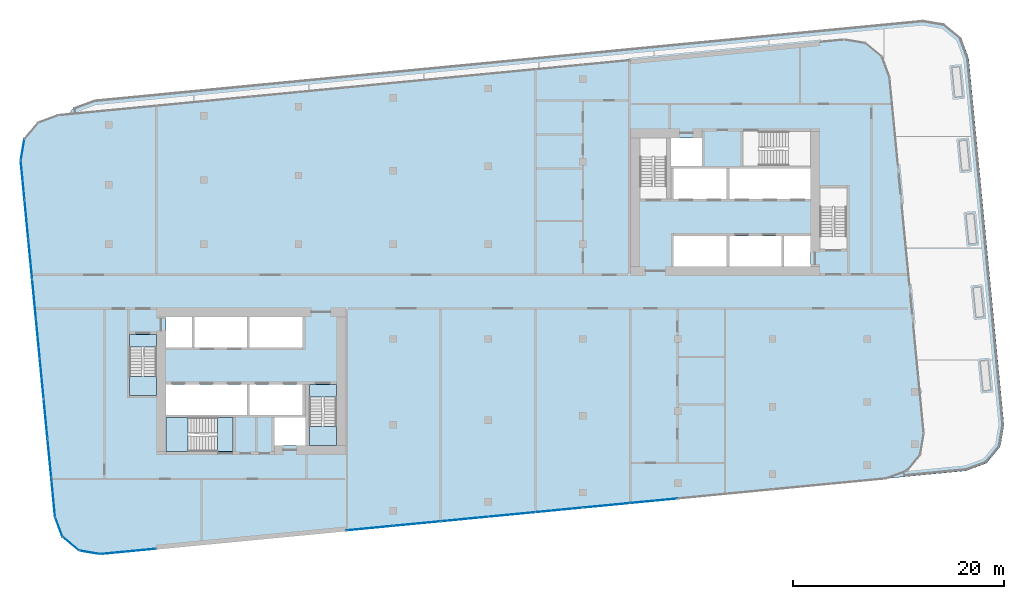
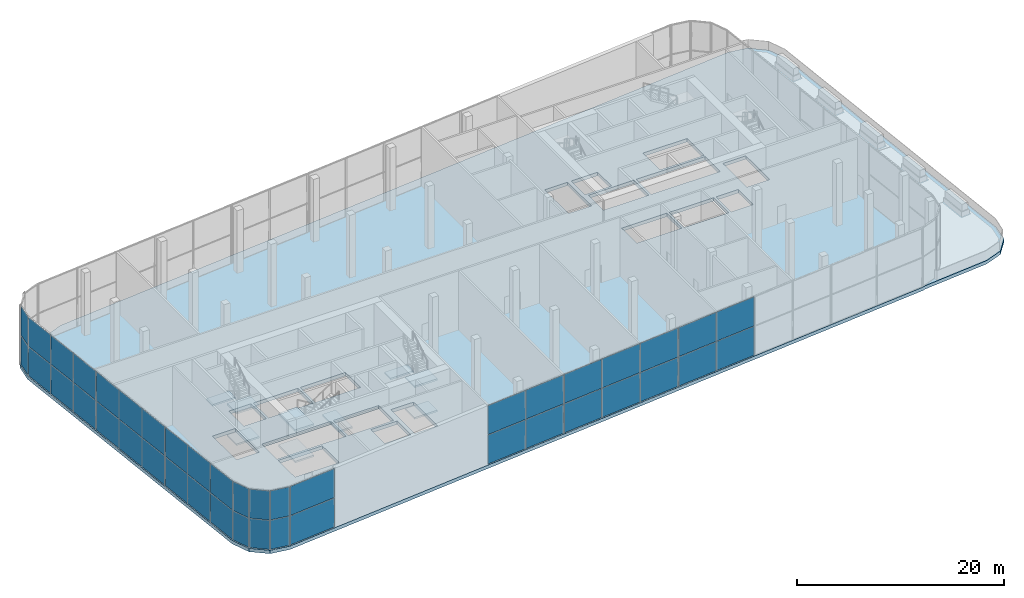
# One storey, part 9 of 25: 42 plates, 10 slabs, 14 elements without a shape of their own.
"""IFC4 building model written with IfcOpenShell, lengths in metres."""

from ifc_helpers import new_model, si_unit, direction, frame, origin, origin_2d, place, context, subcontext, project, spatial, polyline, rectangle, outline, extrude, material, layer, layer_set, type_object, element, aggregate, save


model = new_model("IFC4")

# Units and contexts
model_context = context("Model", 3, precision=1e-05, world=origin(), true_north=direction((0.0, 1.0)))
body_context = subcontext(model_context, "Body", "Model", "MODEL_VIEW")
ifc_project = project(units=[si_unit("LENGTHUNIT", "METRE"), si_unit("AREAUNIT", "SQUARE_METRE"), si_unit("VOLUMEUNIT", "CUBIC_METRE"), si_unit("PLANEANGLEUNIT", "RADIAN"), si_unit("MASSUNIT", "GRAM", prefix="KILO")], contexts=[model_context])

# Site, building, storey
site_placement = place(None, origin())
site = spatial("IfcSite", under=ifc_project, at=site_placement, CompositionType="ELEMENT")
building_placement = place(site_placement, origin())
building = spatial("IfcBuilding", under=site, at=building_placement, Name="Kajstack Hotel Tower", CompositionType="ELEMENT")
storey_placement = place(building_placement, frame((0.0, 0.0, 155.0)))
storey = spatial("IfcBuildingStorey", under=building, at=storey_placement, Name="L36", CompositionType="ELEMENT", Elevation=155.0)

# Curtain wall, plates
ifc_material_1 = material(Name="Aluminium-framed curtain wall, insulated glass with fritted edge", Category="aluminium")
curtain_wall_type = type_object("IfcCurtainWallType", Name="CW-SPA", PredefinedType="NOTDEFINED", material=ifc_material_1)
curtain_wall_1_placement = place(storey_placement, origin())
curtain_wall_1 = element("IfcCurtainWall", 1, at=curtain_wall_1_placement, inside=storey, type_object=curtain_wall_type, Name="Curtain wall CU7 L36-00-00-0", PredefinedType="NOTDEFINED")
ifc_material_2 = material(Name="Insulated glass with fritted edge", Category="glass")
ifc_layer_1 = layer(ifc_material_2, 0.035888671875)
ifc_layer_set_1 = layer_set([ifc_layer_1], Name="CW-P-SPA")
plate_type = type_object("IfcPlateType", Name="CW-P-SPA", PredefinedType="CURTAIN_PANEL", material=ifc_layer_set_1)
plate_1_placement = place(storey_placement, frame((-44.181640625, 10.562255859375, 0.06005859375), z_axis=(0.0, 0.0, 1.0), x_axis=(0.095844342793, -0.995396334107, 0.0)))
plate_1 = element("IfcPlate", 2, at=plate_1_placement, type_object=plate_type, Name="CU7 panel 1.1", PredefinedType="CURTAIN_PANEL", context=body_context, shape_type="SweptSolid", body=[
    extrude(rectangle(XDim=3.67529296875, YDim=0.035888671875, at=origin_2d()), origin(), (0.0, 0.0, 1.0), 3.409912109375),
])
plate_2_placement = place(storey_placement, frame((-44.181640625, 10.562255859375, 3.5302734375), z_axis=(0.0, 0.0, 1.0), x_axis=(0.095844342793, -0.995396334107, 0.0)))
plate_2 = element("IfcPlate", 3, at=plate_2_placement, type_object=plate_type, Name="CU7 panel 1.2", PredefinedType="CURTAIN_PANEL", context=body_context, shape_type="SweptSolid", body=[
    extrude(rectangle(XDim=3.67529296875, YDim=0.035888671875, at=origin_2d()), origin(), (0.0, 0.0, 1.0), 3.409912109375),
])
plate_3_placement = place(storey_placement, frame((-43.822265625, 6.829345703125, 0.06005859375), z_axis=(0.0, 0.0, 1.0), x_axis=(0.095844342793, -0.995396334107, 0.0)))
plate_3 = element("IfcPlate", 4, at=plate_3_placement, type_object=plate_type, Name="CU7 panel 2.1", PredefinedType="CURTAIN_PANEL", context=body_context, shape_type="SweptSolid", body=[
    extrude(rectangle(XDim=3.705322265625, YDim=0.035888671875, at=origin_2d()), origin(), (0.0, 0.0, 1.0), 3.409912109375),
])
plate_4_placement = place(storey_placement, frame((-43.822265625, 6.829345703125, 3.5302734375), z_axis=(0.0, 0.0, 1.0), x_axis=(0.095844342793, -0.995396334107, 0.0)))
plate_4 = element("IfcPlate", 5, at=plate_4_placement, type_object=plate_type, Name="CU7 panel 2.2", PredefinedType="CURTAIN_PANEL", context=body_context, shape_type="SweptSolid", body=[
    extrude(rectangle(XDim=3.705322265625, YDim=0.035888671875, at=origin_2d()), origin(), (0.0, 0.0, 1.0), 3.409912109375),
])
plate_5_placement = place(storey_placement, frame((-43.462890625, 3.09619140625, 0.06005859375), z_axis=(0.0, 0.0, 1.0), x_axis=(0.095844342793, -0.995396334107, 0.0)))
plate_5 = element("IfcPlate", 6, at=plate_5_placement, type_object=plate_type, Name="CU7 panel 3.1", PredefinedType="CURTAIN_PANEL", context=body_context, shape_type="SweptSolid", body=[
    extrude(rectangle(XDim=3.67529296875, YDim=0.035888671875, at=origin_2d()), origin(), (0.0, 0.0, 1.0), 3.409912109375),
])
plate_6_placement = place(storey_placement, frame((-43.462890625, 3.09619140625, 3.5302734375), z_axis=(0.0, 0.0, 1.0), x_axis=(0.095844342793, -0.995396334107, 0.0)))
plate_6 = element("IfcPlate", 7, at=plate_6_placement, type_object=plate_type, Name="CU7 panel 3.2", PredefinedType="CURTAIN_PANEL", context=body_context, shape_type="SweptSolid", body=[
    extrude(rectangle(XDim=3.67529296875, YDim=0.035888671875, at=origin_2d()), origin(), (0.0, 0.0, 1.0), 3.409912109375),
])
aggregate(curtain_wall_1, [plate_1, plate_2, plate_3, plate_4, plate_5, plate_6])

curtain_wall_2_placement = place(storey_placement, origin())
curtain_wall_2 = element("IfcCurtainWall", 8, at=curtain_wall_2_placement, inside=storey, type_object=curtain_wall_type, Name="Curtain wall CU7 L36-00-00-1", PredefinedType="NOTDEFINED")
plate_7_placement = place(storey_placement, frame((-43.0966796875, -0.707763671875, 0.06005859375), z_axis=(0.0, 0.0, 1.0), x_axis=(0.095844315639, -0.995396336722, 0.0)))
plate_7 = element("IfcPlate", 9, at=plate_7_placement, type_object=plate_type, Name="CU7 panel 1.1", PredefinedType="CURTAIN_PANEL", context=body_context, shape_type="SweptSolid", body=[
    extrude(rectangle(XDim=3.7275390625, YDim=0.035888671875, at=origin_2d()), origin(), (0.0, 0.0, 1.0), 3.409912109375),
])
plate_8_placement = place(storey_placement, frame((-43.0966796875, -0.707763671875, 3.5302734375), z_axis=(0.0, 0.0, 1.0), x_axis=(0.095844315639, -0.995396336722, 0.0)))
plate_8 = element("IfcPlate", 10, at=plate_8_placement, type_object=plate_type, Name="CU7 panel 1.2", PredefinedType="CURTAIN_PANEL", context=body_context, shape_type="SweptSolid", body=[
    extrude(rectangle(XDim=3.7275390625, YDim=0.035888671875, at=origin_2d()), origin(), (0.0, 0.0, 1.0), 3.409912109375),
])
plate_9_placement = place(storey_placement, frame((-42.732177734375, -4.492919921875, 0.06005859375), z_axis=(0.0, 0.0, 1.0), x_axis=(0.095844315639, -0.995396336722, 0.0)))
plate_9 = element("IfcPlate", 11, at=plate_9_placement, type_object=plate_type, Name="CU7 panel 2.1", PredefinedType="CURTAIN_PANEL", context=body_context, shape_type="SweptSolid", body=[
    extrude(rectangle(XDim=3.757568359375, YDim=0.035888671875, at=origin_2d()), origin(), (0.0, 0.0, 1.0), 3.409912109375),
])
plate_10_placement = place(storey_placement, frame((-42.732177734375, -4.492919921875, 3.5302734375), z_axis=(0.0, 0.0, 1.0), x_axis=(0.095844315639, -0.995396336722, 0.0)))
plate_10 = element("IfcPlate", 12, at=plate_10_placement, type_object=plate_type, Name="CU7 panel 2.2", PredefinedType="CURTAIN_PANEL", context=body_context, shape_type="SweptSolid", body=[
    extrude(rectangle(XDim=3.757568359375, YDim=0.035888671875, at=origin_2d()), origin(), (0.0, 0.0, 1.0), 3.409912109375),
])
plate_11_placement = place(storey_placement, frame((-42.36767578125, -8.27783203125, 0.06005859375), z_axis=(0.0, 0.0, 1.0), x_axis=(0.095844315639, -0.995396336722, 0.0)))
plate_11 = element("IfcPlate", 13, at=plate_11_placement, type_object=plate_type, Name="CU7 panel 3.1", PredefinedType="CURTAIN_PANEL", context=body_context, shape_type="SweptSolid", body=[
    extrude(rectangle(XDim=3.7275390625, YDim=0.035888671875, at=origin_2d()), origin(), (0.0, 0.0, 1.0), 3.409912109375),
])
plate_12_placement = place(storey_placement, frame((-42.36767578125, -8.27783203125, 3.5302734375), z_axis=(0.0, 0.0, 1.0), x_axis=(0.095844315639, -0.995396336722, 0.0)))
plate_12 = element("IfcPlate", 14, at=plate_12_placement, type_object=plate_type, Name="CU7 panel 3.2", PredefinedType="CURTAIN_PANEL", context=body_context, shape_type="SweptSolid", body=[
    extrude(rectangle(XDim=3.7275390625, YDim=0.035888671875, at=origin_2d()), origin(), (0.0, 0.0, 1.0), 3.409912109375),
])
aggregate(curtain_wall_2, [plate_7, plate_8, plate_9, plate_10, plate_11, plate_12])

curtain_wall_3_placement = place(storey_placement, origin())
curtain_wall_3 = element("IfcCurtainWall", 15, at=curtain_wall_3_placement, inside=storey, type_object=curtain_wall_type, Name="Curtain wall CU7 L36-00-00-2", PredefinedType="NOTDEFINED")
plate_13_placement = place(storey_placement, frame((-42.002197265625, -12.07421875, 0.06005859375), z_axis=(0.0, 0.0, 1.0), x_axis=(0.095844335322, -0.995396334827, 0.0)))
plate_13 = element("IfcPlate", 16, at=plate_13_placement, type_object=plate_type, Name="CU7 panel 1.1", PredefinedType="CURTAIN_PANEL", context=body_context, shape_type="SweptSolid", body=[
    extrude(rectangle(XDim=3.660400390625, YDim=0.035888671875, at=origin_2d()), origin(), (0.0, 0.0, 1.0), 3.409912109375),
])
plate_14_placement = place(storey_placement, frame((-42.002197265625, -12.07421875, 3.5302734375), z_axis=(0.0, 0.0, 1.0), x_axis=(0.095844335322, -0.995396334827, 0.0)))
plate_14 = element("IfcPlate", 17, at=plate_14_placement, type_object=plate_type, Name="CU7 panel 1.2", PredefinedType="CURTAIN_PANEL", context=body_context, shape_type="SweptSolid", body=[
    extrude(rectangle(XDim=3.660400390625, YDim=0.035888671875, at=origin_2d()), origin(), (0.0, 0.0, 1.0), 3.409912109375),
])
plate_15_placement = place(storey_placement, frame((-41.64404296875, -15.79248046875, 0.06005859375), z_axis=(0.0, 0.0, 1.0), x_axis=(0.095844335322, -0.995396334827, 0.0)))
plate_15 = element("IfcPlate", 18, at=plate_15_placement, type_object=plate_type, Name="CU7 panel 2.1", PredefinedType="CURTAIN_PANEL", context=body_context, shape_type="SweptSolid", body=[
    extrude(rectangle(XDim=3.6904296875, YDim=0.035888671875, at=origin_2d()), origin(), (0.0, 0.0, 1.0), 3.409912109375),
])
plate_16_placement = place(storey_placement, frame((-41.64404296875, -15.79248046875, 3.5302734375), z_axis=(0.0, 0.0, 1.0), x_axis=(0.095844335322, -0.995396334827, 0.0)))
plate_16 = element("IfcPlate", 19, at=plate_16_placement, type_object=plate_type, Name="CU7 panel 2.2", PredefinedType="CURTAIN_PANEL", context=body_context, shape_type="SweptSolid", body=[
    extrude(rectangle(XDim=3.6904296875, YDim=0.035888671875, at=origin_2d()), origin(), (0.0, 0.0, 1.0), 3.409912109375),
])
plate_17_placement = place(storey_placement, frame((-41.2861328125, -19.5107421875, 0.06005859375), z_axis=(0.0, 0.0, 1.0), x_axis=(0.095844335322, -0.995396334827, 0.0)))
plate_17 = element("IfcPlate", 20, at=plate_17_placement, type_object=plate_type, Name="CU7 panel 3.1", PredefinedType="CURTAIN_PANEL", context=body_context, shape_type="SweptSolid", body=[
    extrude(rectangle(XDim=3.660400390625, YDim=0.035888671875, at=origin_2d()), origin(), (0.0, 0.0, 1.0), 3.409912109375),
])
plate_18_placement = place(storey_placement, frame((-41.2861328125, -19.5107421875, 3.5302734375), z_axis=(0.0, 0.0, 1.0), x_axis=(0.095844335322, -0.995396334827, 0.0)))
plate_18 = element("IfcPlate", 21, at=plate_18_placement, type_object=plate_type, Name="CU7 panel 3.2", PredefinedType="CURTAIN_PANEL", context=body_context, shape_type="SweptSolid", body=[
    extrude(rectangle(XDim=3.660400390625, YDim=0.035888671875, at=origin_2d()), origin(), (0.0, 0.0, 1.0), 3.409912109375),
])
aggregate(curtain_wall_3, [plate_13, plate_14, plate_15, plate_16, plate_17, plate_18])

curtain_wall_4_placement = place(storey_placement, origin())
curtain_wall_4 = element("IfcCurtainWall", 22, at=curtain_wall_4_placement, inside=storey, type_object=curtain_wall_type, Name="Curtain wall CU7 L36-01-00-0", PredefinedType="NOTDEFINED")
plate_19_placement = place(storey_placement, frame((-40.746826171875, -22.3427734375, 0.06005859375), z_axis=(0.0, 0.0, 1.0), x_axis=(0.350228848104, -0.936664162844, 0.0)))
plate_19 = element("IfcPlate", 23, at=plate_19_placement, type_object=plate_type, Name="CU7 panel 1.1", PredefinedType="CURTAIN_PANEL", context=body_context, shape_type="SweptSolid", body=[
    extrude(rectangle(XDim=1.95068359375, YDim=0.035888671875, at=origin_2d()), origin(), (0.0, 0.0, 1.0), 3.409912109375),
])
plate_20_placement = place(storey_placement, frame((-40.746826171875, -22.3427734375, 3.5302734375), z_axis=(0.0, 0.0, 1.0), x_axis=(0.350228848104, -0.936664162844, 0.0)))
plate_20 = element("IfcPlate", 24, at=plate_20_placement, type_object=plate_type, Name="CU7 panel 1.2", PredefinedType="CURTAIN_PANEL", context=body_context, shape_type="SweptSolid", body=[
    extrude(rectangle(XDim=1.95068359375, YDim=0.035888671875, at=origin_2d()), origin(), (0.0, 0.0, 1.0), 3.409912109375),
])
aggregate(curtain_wall_4, [plate_19, plate_20])

curtain_wall_5_placement = place(storey_placement, origin())
curtain_wall_5 = element("IfcCurtainWall", 25, at=curtain_wall_5_placement, inside=storey, type_object=curtain_wall_type, Name="Curtain wall CU7 L36-02-00-0", PredefinedType="NOTDEFINED")
plate_21_placement = place(storey_placement, frame((-39.60791015625, -23.939453125, 0.06005859375), z_axis=(0.0, 0.0, 1.0), x_axis=(0.771615056057, -0.636089777678, 0.0)))
plate_21 = element("IfcPlate", 26, at=plate_21_placement, type_object=plate_type, Name="CU7 panel 1.1", PredefinedType="CURTAIN_PANEL", context=body_context, shape_type="SweptSolid", body=[
    extrude(rectangle(XDim=1.950439453125, YDim=0.035888671875, at=origin_2d()), origin(), (0.0, 0.0, 1.0), 3.409912109375),
])
plate_22_placement = place(storey_placement, frame((-39.60791015625, -23.939453125, 3.5302734375), z_axis=(0.0, 0.0, 1.0), x_axis=(0.771615056057, -0.636089777678, 0.0)))
plate_22 = element("IfcPlate", 27, at=plate_22_placement, type_object=plate_type, Name="CU7 panel 1.2", PredefinedType="CURTAIN_PANEL", context=body_context, shape_type="SweptSolid", body=[
    extrude(rectangle(XDim=1.950439453125, YDim=0.035888671875, at=origin_2d()), origin(), (0.0, 0.0, 1.0), 3.409912109375),
])
aggregate(curtain_wall_5, [plate_21, plate_22])

curtain_wall_6_placement = place(storey_placement, origin())
curtain_wall_6 = element("IfcCurtainWall", 28, at=curtain_wall_6_placement, inside=storey, type_object=curtain_wall_type, Name="Curtain wall CU7 L36-03-00-0", PredefinedType="NOTDEFINED")
plate_23_placement = place(storey_placement, frame((-37.8232421875, -24.752685546875, 0.06005859375), z_axis=(0.0, 0.0, 1.0), x_axis=(0.986289302298, -0.165025489464, 0.0)))
plate_23 = element("IfcPlate", 29, at=plate_23_placement, type_object=plate_type, Name="CU7 panel 1.1", PredefinedType="CURTAIN_PANEL", context=body_context, shape_type="SweptSolid", body=[
    extrude(rectangle(XDim=1.95068359375, YDim=0.035888671875, at=origin_2d()), origin(), (0.0, 0.0, 1.0), 3.409912109375),
])
plate_24_placement = place(storey_placement, frame((-37.8232421875, -24.752685546875, 3.5302734375), z_axis=(0.0, 0.0, 1.0), x_axis=(0.986289302298, -0.165025489464, 0.0)))
plate_24 = element("IfcPlate", 30, at=plate_24_placement, type_object=plate_type, Name="CU7 panel 1.2", PredefinedType="CURTAIN_PANEL", context=body_context, shape_type="SweptSolid", body=[
    extrude(rectangle(XDim=1.95068359375, YDim=0.035888671875, at=origin_2d()), origin(), (0.0, 0.0, 1.0), 3.409912109375),
])
aggregate(curtain_wall_6, [plate_23, plate_24])

curtain_wall_7_placement = place(storey_placement, origin())
curtain_wall_7 = element("IfcCurtainWall", 31, at=curtain_wall_7_placement, inside=storey, type_object=curtain_wall_type, Name="Curtain wall CU7 L36-04-00-0", PredefinedType="NOTDEFINED")
plate_25_placement = place(storey_placement, frame((-34.16455078125, -24.6669921875, 0.06005859375), z_axis=(0.0, 0.0, 1.0), x_axis=(0.995396243195, 0.09584528696, 0.0)))
plate_25 = element("IfcPlate", 32, at=plate_25_placement, type_object=plate_type, Name="CU7 panel 1.1", PredefinedType="CURTAIN_PANEL", context=body_context, shape_type="SweptSolid", body=[
    extrude(rectangle(XDim=5.21923828125, YDim=0.035888671875, at=origin_2d()), origin(), (0.0, 0.0, 1.0), 3.409912109375),
])
plate_26_placement = place(storey_placement, frame((-34.16455078125, -24.6669921875, 3.5302734375), z_axis=(0.0, 0.0, 1.0), x_axis=(0.995396243195, 0.09584528696, 0.0)))
plate_26 = element("IfcPlate", 33, at=plate_26_placement, type_object=plate_type, Name="CU7 panel 1.2", PredefinedType="CURTAIN_PANEL", context=body_context, shape_type="SweptSolid", body=[
    extrude(rectangle(XDim=5.21923828125, YDim=0.035888671875, at=origin_2d()), origin(), (0.0, 0.0, 1.0), 3.409912109375),
])
aggregate(curtain_wall_7, [plate_25, plate_26])

curtain_wall_8_placement = place(storey_placement, origin())
curtain_wall_8 = element("IfcCurtainWall", 34, at=curtain_wall_8_placement, inside=storey, type_object=curtain_wall_type, Name="Curtain wall CU7 L36-04-02-0", PredefinedType="NOTDEFINED")
plate_27_placement = place(storey_placement, frame((-11.2421875, -22.459716796875, 0.06005859375), z_axis=(0.0, 0.0, 1.0), x_axis=(0.99539623389, 0.095845383606, 0.0)))
plate_27 = element("IfcPlate", 35, at=plate_27_placement, type_object=plate_type, Name="CU7 panel 1.1", PredefinedType="CURTAIN_PANEL", context=body_context, shape_type="SweptSolid", body=[
    extrude(rectangle(XDim=4.430908203125, YDim=0.035888671875, at=origin_2d()), origin(), (0.0, 0.0, 1.0), 3.409912109375),
])
plate_28_placement = place(storey_placement, frame((-11.2421875, -22.459716796875, 3.5302734375), z_axis=(0.0, 0.0, 1.0), x_axis=(0.99539623389, 0.095845383606, 0.0)))
plate_28 = element("IfcPlate", 36, at=plate_28_placement, type_object=plate_type, Name="CU7 panel 1.2", PredefinedType="CURTAIN_PANEL", context=body_context, shape_type="SweptSolid", body=[
    extrude(rectangle(XDim=4.430908203125, YDim=0.035888671875, at=origin_2d()), origin(), (0.0, 0.0, 1.0), 3.409912109375),
])
plate_29_placement = place(storey_placement, frame((-6.772216796875, -22.029296875, 0.06005859375), z_axis=(0.0, 0.0, 1.0), x_axis=(0.99539623389, 0.095845383606, 0.0)))
plate_29 = element("IfcPlate", 37, at=plate_29_placement, type_object=plate_type, Name="CU7 panel 2.1", PredefinedType="CURTAIN_PANEL", context=body_context, shape_type="SweptSolid", body=[
    extrude(rectangle(XDim=4.430908203125, YDim=0.035888671875, at=origin_2d()), origin(), (0.0, 0.0, 1.0), 3.409912109375),
])
plate_30_placement = place(storey_placement, frame((-6.772216796875, -22.029296875, 3.5302734375), z_axis=(0.0, 0.0, 1.0), x_axis=(0.99539623389, 0.095845383606, 0.0)))
plate_30 = element("IfcPlate", 38, at=plate_30_placement, type_object=plate_type, Name="CU7 panel 2.2", PredefinedType="CURTAIN_PANEL", context=body_context, shape_type="SweptSolid", body=[
    extrude(rectangle(XDim=4.430908203125, YDim=0.035888671875, at=origin_2d()), origin(), (0.0, 0.0, 1.0), 3.409912109375),
])
aggregate(curtain_wall_8, [plate_27, plate_28, plate_29, plate_30])

curtain_wall_9_placement = place(storey_placement, origin())
curtain_wall_9 = element("IfcCurtainWall", 39, at=curtain_wall_9_placement, inside=storey, type_object=curtain_wall_type, Name="Curtain wall CU7 L36-04-02-1", PredefinedType="NOTDEFINED")
plate_31_placement = place(storey_placement, frame((-2.2421875, -21.59326171875, 0.06005859375), z_axis=(0.0, 0.0, 1.0), x_axis=(0.995396234967, 0.095845372418, 0.0)))
plate_31 = element("IfcPlate", 40, at=plate_31_placement, type_object=plate_type, Name="CU7 panel 1.1", PredefinedType="CURTAIN_PANEL", context=body_context, shape_type="SweptSolid", body=[
    extrude(rectangle(XDim=4.430908203125, YDim=0.035888671875, at=origin_2d()), origin(), (0.0, 0.0, 1.0), 3.409912109375),
])
plate_32_placement = place(storey_placement, frame((-2.2421875, -21.59326171875, 3.5302734375), z_axis=(0.0, 0.0, 1.0), x_axis=(0.995396234967, 0.095845372418, 0.0)))
plate_32 = element("IfcPlate", 41, at=plate_32_placement, type_object=plate_type, Name="CU7 panel 1.2", PredefinedType="CURTAIN_PANEL", context=body_context, shape_type="SweptSolid", body=[
    extrude(rectangle(XDim=4.430908203125, YDim=0.035888671875, at=origin_2d()), origin(), (0.0, 0.0, 1.0), 3.409912109375),
])
plate_33_placement = place(storey_placement, frame((2.242919921875, -21.161376953125, 0.06005859375), z_axis=(0.0, 0.0, 1.0), x_axis=(0.995396234967, 0.095845372418, 0.0)))
plate_33 = element("IfcPlate", 42, at=plate_33_placement, type_object=plate_type, Name="CU7 panel 2.1", PredefinedType="CURTAIN_PANEL", context=body_context, shape_type="SweptSolid", body=[
    extrude(rectangle(XDim=4.460693359375, YDim=0.035888671875, at=origin_2d()), origin(), (0.0, 0.0, 1.0), 3.409912109375),
])
plate_34_placement = place(storey_placement, frame((2.242919921875, -21.161376953125, 3.5302734375), z_axis=(0.0, 0.0, 1.0), x_axis=(0.995396234967, 0.095845372418, 0.0)))
plate_34 = element("IfcPlate", 43, at=plate_34_placement, type_object=plate_type, Name="CU7 panel 2.2", PredefinedType="CURTAIN_PANEL", context=body_context, shape_type="SweptSolid", body=[
    extrude(rectangle(XDim=4.460693359375, YDim=0.035888671875, at=origin_2d()), origin(), (0.0, 0.0, 1.0), 3.409912109375),
])
plate_35_placement = place(storey_placement, frame((6.727783203125, -20.7294921875, 0.06005859375), z_axis=(0.0, 0.0, 1.0), x_axis=(0.995396234967, 0.095845372418, 0.0)))
plate_35 = element("IfcPlate", 44, at=plate_35_placement, type_object=plate_type, Name="CU7 panel 3.1", PredefinedType="CURTAIN_PANEL", context=body_context, shape_type="SweptSolid", body=[
    extrude(rectangle(XDim=4.430908203125, YDim=0.035888671875, at=origin_2d()), origin(), (0.0, 0.0, 1.0), 3.409912109375),
])
plate_36_placement = place(storey_placement, frame((6.727783203125, -20.7294921875, 3.5302734375), z_axis=(0.0, 0.0, 1.0), x_axis=(0.995396234967, 0.095845372418, 0.0)))
plate_36 = element("IfcPlate", 45, at=plate_36_placement, type_object=plate_type, Name="CU7 panel 3.2", PredefinedType="CURTAIN_PANEL", context=body_context, shape_type="SweptSolid", body=[
    extrude(rectangle(XDim=4.430908203125, YDim=0.035888671875, at=origin_2d()), origin(), (0.0, 0.0, 1.0), 3.409912109375),
])
aggregate(curtain_wall_9, [plate_31, plate_32, plate_33, plate_34, plate_35, plate_36])

curtain_wall_10_placement = place(storey_placement, origin())
curtain_wall_10 = element("IfcCurtainWall", 46, at=curtain_wall_10_placement, inside=storey, type_object=curtain_wall_type, Name="Curtain wall CU7 L36-04-02-2", PredefinedType="NOTDEFINED")
plate_37_placement = place(storey_placement, frame((11.2578125, -20.293212890625, 0.06005859375), z_axis=(0.0, 0.0, 1.0), x_axis=(0.995396237806, 0.095845342936, 0.0)))
plate_37 = element("IfcPlate", 47, at=plate_37_placement, type_object=plate_type, Name="CU7 panel 1.1", PredefinedType="CURTAIN_PANEL", context=body_context, shape_type="SweptSolid", body=[
    extrude(rectangle(XDim=4.430908203125, YDim=0.035888671875, at=origin_2d()), origin(), (0.0, 0.0, 1.0), 3.409912109375),
])
plate_38_placement = place(storey_placement, frame((11.2578125, -20.293212890625, 3.5302734375), z_axis=(0.0, 0.0, 1.0), x_axis=(0.995396237806, 0.095845342936, 0.0)))
plate_38 = element("IfcPlate", 48, at=plate_38_placement, type_object=plate_type, Name="CU7 panel 1.2", PredefinedType="CURTAIN_PANEL", context=body_context, shape_type="SweptSolid", body=[
    extrude(rectangle(XDim=4.430908203125, YDim=0.035888671875, at=origin_2d()), origin(), (0.0, 0.0, 1.0), 3.409912109375),
])
plate_39_placement = place(storey_placement, frame((15.727783203125, -19.86279296875, 0.06005859375), z_axis=(0.0, 0.0, 1.0), x_axis=(0.995396237806, 0.095845342936, 0.0)))
plate_39 = element("IfcPlate", 49, at=plate_39_placement, type_object=plate_type, Name="CU7 panel 2.1", PredefinedType="CURTAIN_PANEL", context=body_context, shape_type="SweptSolid", body=[
    extrude(rectangle(XDim=4.430908203125, YDim=0.035888671875, at=origin_2d()), origin(), (0.0, 0.0, 1.0), 3.409912109375),
])
plate_40_placement = place(storey_placement, frame((15.727783203125, -19.86279296875, 3.5302734375), z_axis=(0.0, 0.0, 1.0), x_axis=(0.995396237806, 0.095845342936, 0.0)))
plate_40 = element("IfcPlate", 50, at=plate_40_placement, type_object=plate_type, Name="CU7 panel 2.2", PredefinedType="CURTAIN_PANEL", context=body_context, shape_type="SweptSolid", body=[
    extrude(rectangle(XDim=4.430908203125, YDim=0.035888671875, at=origin_2d()), origin(), (0.0, 0.0, 1.0), 3.409912109375),
])
aggregate(curtain_wall_10, [plate_37, plate_38, plate_39, plate_40])

curtain_wall_11_placement = place(storey_placement, origin())
curtain_wall_11 = element("IfcCurtainWall", 51, at=curtain_wall_11_placement, inside=storey, type_object=curtain_wall_type, Name="Curtain wall CU7 L36-15-00-0", PredefinedType="NOTDEFINED")
plate_41_placement = place(storey_placement, frame((-44.193359375, 13.452880859375, 0.06005859375), z_axis=(0.0, 0.0, 1.0), x_axis=(-0.165025489464, -0.986289302298, 0.0)))
plate_41 = element("IfcPlate", 52, at=plate_41_placement, type_object=plate_type, Name="CU7 panel 1.1", PredefinedType="CURTAIN_PANEL", context=body_context, shape_type="SweptSolid", body=[
    extrude(rectangle(XDim=1.95068359375, YDim=0.035888671875, at=origin_2d()), origin(), (0.0, 0.0, 1.0), 3.409912109375),
])
plate_42_placement = place(storey_placement, frame((-44.193359375, 13.452880859375, 3.5302734375), z_axis=(0.0, 0.0, 1.0), x_axis=(-0.165025489464, -0.986289302298, 0.0)))
plate_42 = element("IfcPlate", 53, at=plate_42_placement, type_object=plate_type, Name="CU7 panel 1.2", PredefinedType="CURTAIN_PANEL", context=body_context, shape_type="SweptSolid", body=[
    extrude(rectangle(XDim=1.95068359375, YDim=0.035888671875, at=origin_2d()), origin(), (0.0, 0.0, 1.0), 3.409912109375),
])
aggregate(curtain_wall_11, [plate_41, plate_42])

# Slab
ifc_material_3 = material(Name="Concrete C50/60", Category="concrete")
ifc_layer_2 = layer(ifc_material_3, 0.39990234375)
ifc_layer_set_2 = layer_set([ifc_layer_2], Name="RC slab 400 C50/60 garden")
slab_type_1 = type_object("IfcSlabType", Name="RC slab 400 C50/60 garden", PredefinedType="FLOOR", material=ifc_layer_set_2)
slab_1_placement = place(storey_placement, frame((0.0, 0.0, -0.39990234375)))
element("IfcSlab", 54, at=slab_1_placement, inside=storey, type_object=slab_type_1, Name="S-slab-L36", PredefinedType="FLOOR", context=body_context, shape_type="SweptSolid", body=[
    extrude(outline(polyline([(37.840087890625, -17.80908203125), (-36.814697265625, -24.99755859375), (-38.856689453125, -24.65576171875), (-40.454345703125, -23.3388671875), (-41.1796875, -21.3994140625), (-44.438232421875, 12.444091796875), (-44.0966796875, 14.486328125), (-42.779541015625, 16.083984375), (-40.840087890625, 16.80908203125), (-39.796875, 16.90966796875), (-39.318359375, 17.489990234375), (-37.37890625, 18.215087890625), (41.257568359375, 25.786865234375), (43.299560546875, 25.4453125), (44.897216796875, 24.128173828125), (45.622314453125, 22.188720703125), (48.97705078125, -12.650146484375), (48.63525390625, -14.6923828125), (47.318359375, -16.2900390625), (45.37890625, -17.01513671875), (38.08544921875, -17.71728515625), (37.840087890625, -17.80908203125)]), holes=[polyline([(-30.60009765625, -11.699951171875), (-30.60009765625, -8.800048828125), (-22.89990234375, -8.800048828125), (-22.89990234375, -11.699951171875), (-30.60009765625, -11.699951171875)]), polyline([(-22.64990234375, -11.699951171875), (-22.64990234375, -8.800048828125), (-17.60009765625, -8.800048828125), (-17.60009765625, -11.699951171875), (-22.64990234375, -11.699951171875)]), polyline([(-27.85009765625, -5.300048828125), (-27.85009765625, -2.39990234375), (-22.89990234375, -2.39990234375), (-22.89990234375, -5.300048828125), (-27.85009765625, -5.300048828125)]), polyline([(-22.64990234375, -5.300048828125), (-22.64990234375, -2.39990234375), (-17.60009765625, -2.39990234375), (-17.60009765625, -5.300048828125), (-22.64990234375, -5.300048828125)]), polyline([(-20.300048828125, -14.60009765625), (-17.35009765625, -14.60009765625), (-17.35009765625, -11.949951171875), (-20.300048828125, -11.949951171875), (-20.300048828125, -14.60009765625)]), polyline([(-30.60009765625, -5.300048828125), (-28.10009765625, -5.300048828125), (-28.10009765625, -2.39990234375), (-30.60009765625, -2.39990234375), (-30.60009765625, -5.300048828125)]), polyline([(22.89990234375, 8.800048828125), (22.89990234375, 11.699951171875), (30.60009765625, 11.699951171875), (30.60009765625, 8.800048828125), (22.89990234375, 8.800048828125)]), polyline([(17.60009765625, 8.800048828125), (17.60009765625, 11.699951171875), (22.64990234375, 11.699951171875), (22.64990234375, 8.800048828125), (17.60009765625, 8.800048828125)]), polyline([(22.89990234375, 2.39990234375), (22.89990234375, 5.300048828125), (27.85009765625, 5.300048828125), (27.85009765625, 2.39990234375), (22.89990234375, 2.39990234375)]), polyline([(17.60009765625, 2.39990234375), (17.60009765625, 5.300048828125), (22.64990234375, 5.300048828125), (22.64990234375, 2.39990234375), (17.60009765625, 2.39990234375)]), polyline([(20.300048828125, 14.60009765625), (17.35009765625, 14.60009765625), (17.35009765625, 11.949951171875), (20.300048828125, 11.949951171875), (20.300048828125, 14.60009765625)]), polyline([(30.60009765625, 5.300048828125), (28.10009765625, 5.300048828125), (28.10009765625, 2.39990234375), (30.60009765625, 2.39990234375), (30.60009765625, 5.300048828125)]), polyline([(-34.050048828125, -9.85009765625), (-31.5, -9.85009765625), (-31.5, -5.25), (-34.050048828125, -5.25), (-34.050048828125, -9.85009765625)]), polyline([(-16.949951171875, -14.60009765625), (-14.39990234375, -14.60009765625), (-14.39990234375, -10.0), (-16.949951171875, -10.0), (-16.949951171875, -14.60009765625)]), polyline([(-30.60009765625, -15.199951171875), (-25.699951171875, -15.199951171875), (-25.699951171875, -11.949951171875), (-30.60009765625, -11.949951171875), (-30.60009765625, -15.199951171875)]), polyline([(34.050048828125, 9.85009765625), (31.5, 9.85009765625), (31.5, 5.25), (34.050048828125, 5.25), (34.050048828125, 9.85009765625)]), polyline([(16.949951171875, 14.60009765625), (14.39990234375, 14.60009765625), (14.39990234375, 10.0), (16.949951171875, 10.0), (16.949951171875, 14.60009765625)]), polyline([(30.60009765625, 15.199951171875), (25.699951171875, 15.199951171875), (25.699951171875, 11.949951171875), (30.60009765625, 11.949951171875), (30.60009765625, 15.199951171875)])]), origin(), (0.0, 0.0, 1.0), 0.39990234375),
])

# Stair, slabs
ifc_material_4 = material(Name="Concrete C40/50", Category="concrete")
stair_type_1 = type_object("IfcStairType", Name="Exit stair 1200", PredefinedType="HALF_TURN_STAIR", material=ifc_material_4)
stair_1_placement = place(storey_placement, origin())
stair_1 = element("IfcStair", 55, at=stair_1_placement, inside=storey, type_object=stair_type_1, Name="L36 stair W1", PredefinedType="HALF_TURN_STAIR")
ifc_layer_3 = layer(ifc_material_4, 0.199951171875)
ifc_layer_set_3 = layer_set([ifc_layer_3], Name="Stair landing 200")
slab_type_2 = type_object("IfcSlabType", Name="Stair landing 200", PredefinedType="LANDING", material=ifc_layer_set_3)
slab_2_placement = place(storey_placement, frame((0.0, 0.0, 1.64990234375)))
slab_2 = element("IfcSlab", 56, at=slab_2_placement, type_object=slab_type_2, Name="W1 landing 1", PredefinedType="LANDING", context=body_context, shape_type="SweptSolid", body=[
    extrude(outline(polyline([(-34.050048828125, -8.050048828125), (-34.050048828125, -9.85009765625), (-31.5, -9.85009765625), (-31.5, -8.050048828125), (-34.050048828125, -8.050048828125)])), origin(), (0.0, 0.0, 1.0), 0.2001953125),
])
slab_3_placement = place(storey_placement, frame((0.0, 0.0, 3.5)))
slab_3 = element("IfcSlab", 57, at=slab_3_placement, type_object=slab_type_2, Name="W1 landing 2", PredefinedType="LANDING", context=body_context, shape_type="SweptSolid", body=[
    extrude(outline(polyline([(-34.050048828125, -4.050048828125), (-34.050048828125, -5.25), (-31.5, -5.25), (-31.5, -4.050048828125), (-34.050048828125, -4.050048828125)])), origin(), (0.0, 0.0, 1.0), 0.199951171875),
])
slab_4_placement = place(storey_placement, frame((0.0, 0.0, 5.35009765625)))
slab_4 = element("IfcSlab", 58, at=slab_4_placement, type_object=slab_type_2, Name="W1 landing 3", PredefinedType="LANDING", context=body_context, shape_type="SweptSolid", body=[
    extrude(outline(polyline([(-34.050048828125, -8.050048828125), (-34.050048828125, -9.85009765625), (-31.5, -9.85009765625), (-31.5, -8.050048828125), (-34.050048828125, -8.050048828125)])), origin(), (0.0, 0.0, 1.0), 0.199951171875),
])
aggregate(stair_1, [slab_2, slab_3, slab_4])

stair_2_placement = place(storey_placement, origin())
stair_2 = element("IfcStair", 59, at=stair_2_placement, inside=storey, type_object=stair_type_1, Name="L36 stair W2", PredefinedType="HALF_TURN_STAIR")
slab_5_placement = place(storey_placement, frame((0.0, 0.0, 1.64990234375)))
slab_5 = element("IfcSlab", 60, at=slab_5_placement, type_object=slab_type_2, Name="W2 landing 1", PredefinedType="LANDING", context=body_context, shape_type="SweptSolid", body=[
    extrude(outline(polyline([(-16.949951171875, -12.800048828125), (-16.949951171875, -14.60009765625), (-14.39990234375, -14.60009765625), (-14.39990234375, -12.800048828125), (-16.949951171875, -12.800048828125)])), origin(), (0.0, 0.0, 1.0), 0.2001953125),
])
slab_6_placement = place(storey_placement, frame((0.0, 0.0, 3.5)))
slab_6 = element("IfcSlab", 61, at=slab_6_placement, type_object=slab_type_2, Name="W2 landing 2", PredefinedType="LANDING", context=body_context, shape_type="SweptSolid", body=[
    extrude(outline(polyline([(-16.949951171875, -8.800048828125), (-16.949951171875, -10.0), (-14.39990234375, -10.0), (-14.39990234375, -8.800048828125), (-16.949951171875, -8.800048828125)])), origin(), (0.0, 0.0, 1.0), 0.199951171875),
])
slab_7_placement = place(storey_placement, frame((0.0, 0.0, 5.35009765625)))
slab_7 = element("IfcSlab", 62, at=slab_7_placement, type_object=slab_type_2, Name="W2 landing 3", PredefinedType="LANDING", context=body_context, shape_type="SweptSolid", body=[
    extrude(outline(polyline([(-16.949951171875, -12.800048828125), (-16.949951171875, -14.60009765625), (-14.39990234375, -14.60009765625), (-14.39990234375, -12.800048828125), (-16.949951171875, -12.800048828125)])), origin(), (0.0, 0.0, 1.0), 0.199951171875),
])
aggregate(stair_2, [slab_5, slab_6, slab_7])

stair_type_2 = type_object("IfcStairType", Name="Exit stair 1500", PredefinedType="HALF_TURN_STAIR", material=ifc_material_4)
stair_3_placement = place(storey_placement, origin())
stair_3 = element("IfcStair", 63, at=stair_3_placement, inside=storey, type_object=stair_type_2, Name="L36 stair W3", PredefinedType="HALF_TURN_STAIR")
slab_8_placement = place(storey_placement, frame((0.0, 0.0, 1.64990234375)))
slab_8 = element("IfcSlab", 64, at=slab_8_placement, type_object=slab_type_2, Name="W3 landing 1", PredefinedType="LANDING", context=body_context, shape_type="SweptSolid", body=[
    extrude(outline(polyline([(-28.5, -11.949951171875), (-30.60009765625, -11.949951171875), (-30.60009765625, -15.199951171875), (-28.5, -15.199951171875), (-28.5, -11.949951171875)])), origin(), (0.0, 0.0, 1.0), 0.2001953125),
])
slab_9_placement = place(storey_placement, frame((0.0, 0.0, 3.5)))
slab_9 = element("IfcSlab", 65, at=slab_9_placement, type_object=slab_type_2, Name="W3 landing 2", PredefinedType="LANDING", context=body_context, shape_type="SweptSolid", body=[
    extrude(outline(polyline([(-24.199951171875, -11.949951171875), (-25.699951171875, -11.949951171875), (-25.699951171875, -15.199951171875), (-24.199951171875, -15.199951171875), (-24.199951171875, -11.949951171875)])), origin(), (0.0, 0.0, 1.0), 0.199951171875),
])
slab_10_placement = place(storey_placement, frame((0.0, 0.0, 5.35009765625)))
slab_10 = element("IfcSlab", 66, at=slab_10_placement, type_object=slab_type_2, Name="W3 landing 3", PredefinedType="LANDING", context=body_context, shape_type="SweptSolid", body=[
    extrude(outline(polyline([(-28.5, -11.949951171875), (-30.60009765625, -11.949951171875), (-30.60009765625, -15.199951171875), (-28.5, -15.199951171875), (-28.5, -11.949951171875)])), origin(), (0.0, 0.0, 1.0), 0.199951171875),
])
aggregate(stair_3, [slab_8, slab_9, slab_10])

save(model, "model.ifc")
